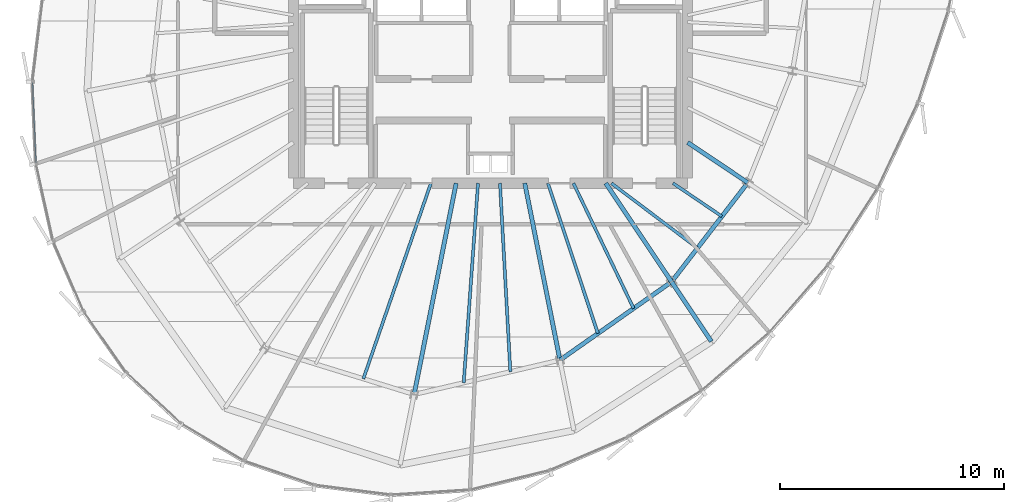
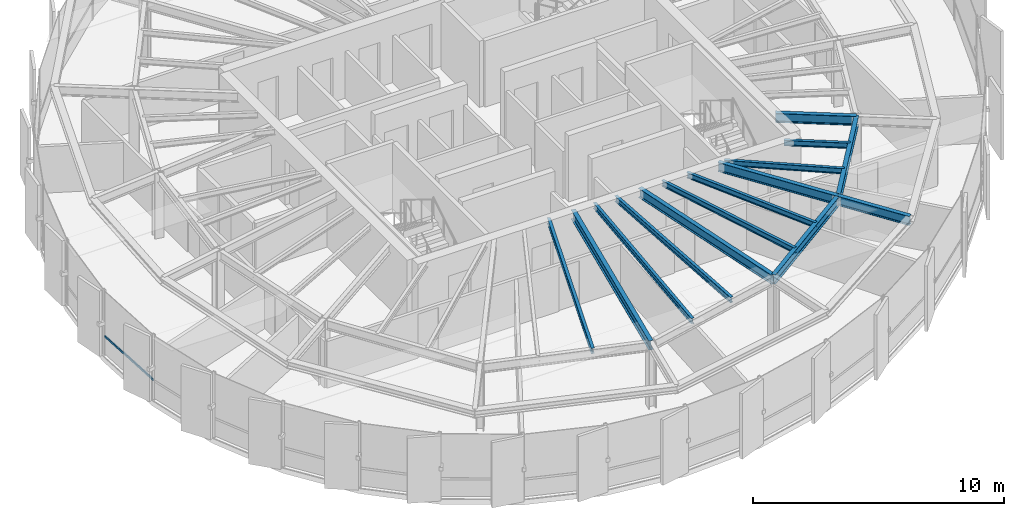
# One storey, part 8 of 35: 14 beams, 1 member, 1 element without a shape of its own.
"""IFC4 building model written with IfcOpenShell, lengths in metres."""

import ifcopenshell
import ifcopenshell.guid

model = None  # the IFC model being written
_history = None  # IfcOwnerHistory: only IFC2X3 demands one
_inside = {}  # id of a spatial element -> (the spatial element, [elements in it])
_under = {}  # id of a project, library or spatial element -> (it, [spatial elements below it])
_declared = {}  # id of a project -> (the project, [libraries it declares])
_typed = {}  # id of a type object -> (the type object, [elements of that type])
_made_of = {}  # id of a material, layer set ... -> (it, [elements and type objects made of it])


def new_model(schema):
    """Start an empty IFC model of exactly this schema.

    Asked for "IFC4X3", IfcOpenShell would pick the latest addendum, in which some entities
    have other attributes; the version numbers below select the first issue.
    IFC2X3 requires an IfcOwnerHistory on every rooted entity: one is made here for all.
    """
    global model, _history
    if schema == "IFC4X3":
        model = ifcopenshell.file(schema_version=(4, 3, 0, 0))
    else:
        model = ifcopenshell.file(schema=schema)
    _inside.clear()
    _under.clear()
    _declared.clear()
    _typed.clear()
    _made_of.clear()
    _history = None
    if model.schema == "IFC2X3":
        org = make("IfcOrganization", Name="unknown")
        user = make(
            "IfcPersonAndOrganization",
            ThePerson=make("IfcPerson", FamilyName="unknown"),
            TheOrganization=org,
        )
        app = make(
            "IfcApplication",
            ApplicationDeveloper=org,
            Version="unknown",
            ApplicationFullName="unknown",
            ApplicationIdentifier="unknown",
        )
        _history = make(
            "IfcOwnerHistory",
            OwningUser=user,
            OwningApplication=app,
            ChangeAction="ADDED",
            CreationDate=0,
        )
    return model


def make(cls, **values):
    """One entity of the class cls with the attributes given. An attribute that is None is left unset."""
    return model.create_entity(
        cls, **{name: value for name, value in values.items() if value is not None}
    )


def rooted(cls, **values):
    """An entity with a GlobalId (a new one), such as an element, a storey or a relation."""
    return make(cls, GlobalId=ifcopenshell.guid.new(), OwnerHistory=_history, **values)


def si_unit(unit_type, name, prefix=None):
    """IfcSIUnit, for example si_unit("LENGTHUNIT", "METRE", prefix="MILLI")."""
    return make("IfcSIUnit", UnitType=unit_type, Prefix=prefix, Name=name)


def assignment(units):
    """IfcUnitAssignment: the units of a project."""
    return None if units is None else make("IfcUnitAssignment", Units=units)


def point(xyz):
    """IfcCartesianPoint."""
    return None if xyz is None else make("IfcCartesianPoint", Coordinates=xyz)


def direction(xyz):
    """IfcDirection."""
    return None if xyz is None else make("IfcDirection", DirectionRatios=xyz)


def frame(location, z_axis=None, x_axis=None):
    """IfcAxis2Placement3D, a coordinate frame: its origin and axes. An axis left out is left unset."""
    return make(
        "IfcAxis2Placement3D",
        Location=point(location),
        Axis=direction(z_axis),
        RefDirection=direction(x_axis),
    )


def frame_2d(location, x_axis=None):
    """IfcAxis2Placement2D, a coordinate frame in the plane: its origin and x axis."""
    return make(
        "IfcAxis2Placement2D", Location=point(location), RefDirection=direction(x_axis)
    )


def origin():
    """The frame at (0, 0, 0) with its axes left unset."""
    return frame((0.0, 0.0, 0.0))


def origin_2d():
    """The frame at (0, 0) in the plane with its x axis left unset."""
    return frame_2d((0.0, 0.0))


def place(relative_to, where):
    """IfcLocalPlacement: puts the frame where relative to a parent placement (None: the world)."""
    return make(
        "IfcLocalPlacement", PlacementRelTo=relative_to, RelativePlacement=where
    )


def context(
    kind, dimensions, precision=None, world=None, true_north=None, identifier=None
):
    """IfcGeometricRepresentationContext, for example the 3D "Model" context."""
    return make(
        "IfcGeometricRepresentationContext",
        ContextIdentifier=identifier,
        ContextType=kind,
        CoordinateSpaceDimension=dimensions,
        Precision=precision,
        WorldCoordinateSystem=world,
        TrueNorth=true_north,
    )


def subcontext(parent, identifier, kind, view, scale=None):
    """IfcGeometricRepresentationSubContext, for example "Body" below "Model"."""
    return make(
        "IfcGeometricRepresentationSubContext",
        ContextIdentifier=identifier,
        ContextType=kind,
        ParentContext=parent,
        TargetScale=scale,
        TargetView=view,
    )


def project(units=None, contexts=None):
    """IfcProject with its units and contexts."""
    return rooted(
        "IfcProject",
        Name="project",
        RepresentationContexts=contexts,
        UnitsInContext=assignment(units),
    )


def spatial(cls, under=None, at=None, **own):
    """A site, building, storey or space (cls), placed at a placement, below another one or the project."""
    s = rooted(cls, ObjectPlacement=at, **own)
    if under is not None:
        _under.setdefault(under.id(), (under, []))[1].append(s)
    return s


def profile(cls, at=None, kind="AREA", **sizes):
    """A parametric profile (cls). Its sizes go by their IFC names, for example OverallWidth=200.0."""
    return make(cls, ProfileType=kind, Position=at, **sizes)


def hollow_rectangle(**sizes):
    """IfcRectangleHollowProfileDef."""
    return profile("IfcRectangleHollowProfileDef", **sizes)


def i_section(**sizes):
    """IfcIShapeProfileDef."""
    return profile("IfcIShapeProfileDef", **sizes)


def extrude(swept, where, along, depth):
    """IfcExtrudedAreaSolid: the profile swept, set in the frame where, extruded along a direction by depth."""
    return make(
        "IfcExtrudedAreaSolid",
        SweptArea=swept,
        Position=where,
        ExtrudedDirection=direction(along),
        Depth=depth,
    )


def shape(context_of_items, identifier, shape_type, items):
    """IfcShapeRepresentation: the items that make up one representation, for example the "Body"."""
    return make(
        "IfcShapeRepresentation",
        ContextOfItems=context_of_items,
        RepresentationIdentifier=identifier,
        RepresentationType=shape_type,
        Items=items,
    )


def source(mapping_origin, context_of_items, identifier, shape_type, items):
    """IfcRepresentationMap: a shape defined once, which mapped items show again and again."""
    return make(
        "IfcRepresentationMap",
        MappingOrigin=mapping_origin,
        MappedRepresentation=shape(context_of_items, identifier, shape_type, items),
    )


def transform(
    local_origin,
    x_axis=None,
    y_axis=None,
    z_axis=None,
    scale=None,
    scale2=None,
    scale3=None,
    uniform=True,
):
    """IfcCartesianTransformationOperator3D, or its non-uniform kind. x_axis, y_axis, z_axis: its Axis1, 2, 3."""
    if uniform:
        return make(
            "IfcCartesianTransformationOperator3D",
            Axis1=direction(x_axis),
            Axis2=direction(y_axis),
            LocalOrigin=point(local_origin),
            Scale=scale,
            Axis3=direction(z_axis),
        )
    return make(
        "IfcCartesianTransformationOperator3DnonUniform",
        Axis1=direction(x_axis),
        Axis2=direction(y_axis),
        LocalOrigin=point(local_origin),
        Scale=scale,
        Axis3=direction(z_axis),
        Scale2=scale2,
        Scale3=scale3,
    )


def mapped(mapping_source, mapping_target):
    """IfcMappedItem: shows the shape of a source again, moved by a transform."""
    return make(
        "IfcMappedItem", MappingSource=mapping_source, MappingTarget=mapping_target
    )


def material(Name=None, Category=None):
    """IfcMaterial."""
    return make("IfcMaterial", Name=Name, Category=Category)


def layer(
    of_material, thickness, ventilated=None, Name=None, Category=None, Priority=None
):
    """IfcMaterialLayer: one layer of a wall or slab, of a material (None: an air gap)."""
    return make(
        "IfcMaterialLayer",
        Material=of_material,
        LayerThickness=thickness,
        IsVentilated=ventilated,
        Name=Name,
        Category=Category,
        Priority=Priority,
    )


def layer_set(layers, Name=None):
    """IfcMaterialLayerSet."""
    return make("IfcMaterialLayerSet", MaterialLayers=layers, LayerSetName=Name)


def material_profile(
    of_material, cross_section, Name=None, Category=None, Priority=None
):
    """IfcMaterialProfile: a cross section and its material."""
    return make(
        "IfcMaterialProfile",
        Name=Name,
        Material=of_material,
        Profile=cross_section,
        Priority=Priority,
        Category=Category,
    )


def profile_set(profiles, Name=None, composite=None):
    """IfcMaterialProfileSet."""
    return make(
        "IfcMaterialProfileSet",
        Name=Name,
        MaterialProfiles=profiles,
        CompositeProfile=composite,
    )


def made_of(thing, what):
    """Note that an element or type object is made of a material, layer set ...; save() writes the relation."""
    if what is not None:
        _made_of.setdefault(what.id(), (what, []))[1].append(thing)
    return thing


def type_object(cls, material=None, **own):
    """A type object (cls), such as IfcWallType, which elements share."""
    return made_of(rooted(cls, **own), material)


def element(
    cls,
    number,
    at=None,
    inside=None,
    cuts=None,
    type_object=None,
    material=None,
    context=None,
    identifier="Body",
    shape_type=None,
    held_by="IfcProductDefinitionShape",
    body=None,
    shapes=None,
    **own,
):
    """One element of the class cls, such as IfcWall. Its Tag is "e" and its number.

    at: its placement. inside: the storey or other place that contains it. cuts: it is an
    opening in that element (IfcRelVoidsElement). A single representation is given by context,
    identifier, shape_type and body (its items); several are given by shapes. held_by: the class
    of the entity that holds the representations. save() writes the other relations.
    """
    e = rooted(cls, Tag="e%d" % number, ObjectPlacement=at, **own)
    if body is not None:
        shapes = [shape(context, identifier, shape_type, body)]
    if shapes is not None:
        e.Representation = make(held_by, Representations=shapes)
    if inside is not None:
        _inside.setdefault(inside.id(), (inside, []))[1].append(e)
    if cuts is not None:
        rooted(
            "IfcRelVoidsElement", RelatingBuildingElement=cuts, RelatedOpeningElement=e
        )
    if type_object is not None:
        _typed.setdefault(type_object.id(), (type_object, []))[1].append(e)
    return made_of(e, material)


def aggregate(whole, parts):
    """IfcRelAggregates: a whole, such as a stair, and the parts it consists of."""
    return rooted("IfcRelAggregates", RelatingObject=whole, RelatedObjects=parts)


def save(model, path):
    """Write the relations noted so far, then the file.

    IfcRelAggregates (storeys below a building ...), IfcRelContainedInSpatialStructure (elements
    in a storey), IfcRelDefinesByType, IfcRelAssociatesMaterial and IfcRelDeclares: one each for
    every whole, place, type object, material and project.
    """
    for whole, parts in _under.values():
        aggregate(whole, parts)
    for where, things in _inside.values():
        rooted(
            "IfcRelContainedInSpatialStructure",
            RelatedElements=things,
            RelatingStructure=where,
        )
    for kind, things in _typed.values():
        rooted("IfcRelDefinesByType", RelatedObjects=things, RelatingType=kind)
    for what, things in _made_of.values():
        rooted("IfcRelAssociatesMaterial", RelatedObjects=things, RelatingMaterial=what)
    for by, libraries in _declared.values():
        rooted("IfcRelDeclares", RelatingContext=by, RelatedDefinitions=libraries)
    model.write(path)


model = new_model("IFC4")

# Units and contexts
model_context = context("Model", 3, precision=1e-05, world=origin(), true_north=direction((0.0, 1.0)))
body_context = subcontext(model_context, "Body", "Model", "MODEL_VIEW")
ifc_project = project(units=[si_unit("LENGTHUNIT", "METRE"), si_unit("AREAUNIT", "SQUARE_METRE"), si_unit("VOLUMEUNIT", "CUBIC_METRE"), si_unit("PLANEANGLEUNIT", "RADIAN"), si_unit("MASSUNIT", "GRAM", prefix="KILO"), si_unit("THERMODYNAMICTEMPERATUREUNIT", "KELVIN")], contexts=[model_context])

# Site, building, storey
site_placement = place(None, origin())
site = spatial("IfcSite", under=ifc_project, at=site_placement, CompositionType="ELEMENT")
building_placement = place(site_placement, origin())
building = spatial("IfcBuilding", under=site, at=building_placement, Name="Kethvar Cultural Tower", CompositionType="ELEMENT")
storey_placement = place(building_placement, frame((0.0, 0.0, 249.10009765625)))
storey = spatial("IfcBuildingStorey", under=building, at=storey_placement, Name="L65", CompositionType="ELEMENT", Elevation=249.10009765625)

# Beams
ifc_material_1 = material(Name="Steel S355J2", Category="steel")
ifc_material_profile_1 = material_profile(ifc_material_1, i_section(OverallWidth=0.18994140625, OverallDepth=0.449951171875, WebThickness=0.009521484375, FlangeThickness=0.0146484375, FilletRadius=0.02099609375, at=origin_2d()), Name="Steel S355J2 — IPE450")
ifc_profile_set_1 = profile_set([ifc_material_profile_1], Name="Steel S355J2 — IPE450")
beam_type_1 = type_object("IfcBeamType", Name="BM-IPE450", PredefinedType="BEAM", material=ifc_profile_set_1)
shared_shape_1 = source(origin(), body_context, "Body", "SweptSolid", [
    extrude(i_section(OverallWidth=0.18994140625, OverallDepth=0.449951171875, WebThickness=0.009521484375, FlangeThickness=0.0146484375, FilletRadius=0.02099609375, at=origin_2d()), origin(), (0.0, 0.0, 1.0), 3.199951171875),
])
beam_1_placement = place(storey_placement, frame((54.885009765625, 15.7001953125, 2.98291015625), z_axis=(0.555492222339, -0.83152173208, 0.0), x_axis=(0.83152173208, 0.555492222339, 0.0)))
element("IfcBeam", 1, at=beam_1_placement, inside=storey, type_object=beam_type_1, Name="L65 Perimeter Cantilever Beam RC-14", PredefinedType="BEAM", context=body_context, shape_type="MappedRepresentation", body=[
    mapped(shared_shape_1, transform((0.0, 0.0, 0.0), scale=1.0)),
])
shared_shape_2 = source(origin(), body_context, "Body", "SweptSolid", [
    extrude(i_section(OverallWidth=0.18994140625, OverallDepth=0.449951171875, WebThickness=0.009521484375, FlangeThickness=0.0146484375, FilletRadius=0.02099609375, at=origin_2d()), origin(), (0.0, 0.0, 1.0), 9.613525390625),
])
beam_2_placement = place(storey_placement, frame((45.268310546875, 20.10009765625, 2.98291015625), z_axis=(-0.195090428816, -0.980785259159, 0.0), x_axis=(0.980785259159, -0.195090428816, 0.0)))
element("IfcBeam", 2, at=beam_2_placement, inside=storey, type_object=beam_type_1, Name="L65 Primary Radial Beam RB-12", PredefinedType="BEAM", context=body_context, shape_type="MappedRepresentation", body=[
    mapped(shared_shape_2, transform((0.0, 0.0, 0.0), scale=1.0)),
])
shared_shape_3 = source(origin(), body_context, "Body", "SweptSolid", [
    extrude(i_section(OverallWidth=0.18994140625, OverallDepth=0.449951171875, WebThickness=0.009521484375, FlangeThickness=0.0146484375, FilletRadius=0.02099609375, at=origin_2d()), origin(), (0.0, 0.0, 1.0), 8.0478515625),
])
beam_3_placement = place(storey_placement, frame((48.33154296875, 20.10009765625, 2.98291015625), z_axis=(0.195089278796, -0.980785487912, 0.0), x_axis=(0.980785487912, 0.195089278796, 0.0)))
element("IfcBeam", 3, at=beam_3_placement, inside=storey, type_object=beam_type_1, Name="L65 Primary Radial Beam RB-13", PredefinedType="BEAM", context=body_context, shape_type="MappedRepresentation", body=[
    mapped(shared_shape_3, transform((0.0, 0.0, 0.0), scale=1.0)),
])
shared_shape_4 = source(origin(), body_context, "Body", "SweptSolid", [
    extrude(i_section(OverallWidth=0.18994140625, OverallDepth=0.449951171875, WebThickness=0.009521484375, FlangeThickness=0.0146484375, FilletRadius=0.02099609375, at=origin_2d()), origin(), (0.0, 0.0, 1.0), 5.291748046875),
])
beam_4_placement = place(storey_placement, frame((51.945068359375, 20.10009765625, 2.98291015625), z_axis=(0.555572931011, -0.831467809556, 0.0), x_axis=(0.831467809556, 0.555572931011, 0.0)))
element("IfcBeam", 4, at=beam_4_placement, inside=storey, type_object=beam_type_1, Name="L65 Primary Radial Beam RB-14", PredefinedType="BEAM", context=body_context, shape_type="MappedRepresentation", body=[
    mapped(shared_shape_4, transform((0.0, 0.0, 0.0), scale=1.0)),
])
shared_shape_5 = source(origin(), body_context, "Body", "SweptSolid", [
    extrude(i_section(OverallWidth=0.18994140625, OverallDepth=0.449951171875, WebThickness=0.009521484375, FlangeThickness=0.0146484375, FilletRadius=0.02099609375, at=origin_2d()), origin(), (0.0, 0.0, 1.0), 3.231689453125),
])
beam_5_placement = place(storey_placement, frame((55.60009765625, 21.919921875, 2.98291015625), z_axis=(0.831468708055, -0.55557158632, 0.0), x_axis=(0.55557158632, 0.831468708055, 0.0)))
element("IfcBeam", 5, at=beam_5_placement, inside=storey, type_object=beam_type_1, Name="L65 Primary Radial Beam RB-15", PredefinedType="BEAM", context=body_context, shape_type="MappedRepresentation", body=[
    mapped(shared_shape_5, transform((0.0, 0.0, 0.0), scale=1.0)),
])
ifc_material_profile_2 = material_profile(ifc_material_1, i_section(OverallWidth=0.135009765625, OverallDepth=0.27001953125, WebThickness=0.006591796875, FlangeThickness=0.01025390625, FilletRadius=0.014892578125, at=origin_2d()), Name="Steel S355J2 — IPE270")
ifc_profile_set_2 = profile_set([ifc_material_profile_2], Name="Steel S355J2 — IPE270")
beam_type_2 = type_object("IfcBeamType", Name="BM-J270", PredefinedType="JOIST", material=ifc_profile_set_2)
shared_shape_6 = source(origin(), body_context, "Body", "SweptSolid", [
    extrude(i_section(OverallWidth=0.135009765625, OverallDepth=0.27001953125, WebThickness=0.006591796875, FlangeThickness=0.01025390625, FilletRadius=0.014892578125, at=origin_2d()), origin(), (0.0, 0.0, 1.0), 9.234130859375),
])
beam_6_placement = place(storey_placement, frame((44.1416015625, 20.10009765625, 3.072998046875), z_axis=(-0.326362208058, -0.945244787953, 0.0), x_axis=(0.945244787953, -0.326362208058, 0.0)))
element("IfcBeam", 6, at=beam_6_placement, inside=storey, type_object=beam_type_2, Name="L65 Composite Floor Joist J-11B", PredefinedType="JOIST", context=body_context, shape_type="MappedRepresentation", body=[
    mapped(shared_shape_6, transform((0.0, 0.0, 0.0), scale=1.0)),
])
shared_shape_7 = source(origin(), body_context, "Body", "SweptSolid", [
    extrude(i_section(OverallWidth=0.135009765625, OverallDepth=0.27001953125, WebThickness=0.006591796875, FlangeThickness=0.01025390625, FilletRadius=0.014892578125, at=origin_2d()), origin(), (0.0, 0.0, 1.0), 8.9296875),
])
beam_7_placement = place(storey_placement, frame((46.246337890625, 20.10009765625, 3.072998046875), z_axis=(-0.071713352262, -0.99742528297, 0.0), x_axis=(0.99742528297, -0.071713352262, 0.0)))
element("IfcBeam", 7, at=beam_7_placement, inside=storey, type_object=beam_type_2, Name="L65 Composite Floor Joist J-12A", PredefinedType="JOIST", context=body_context, shape_type="MappedRepresentation", body=[
    mapped(shared_shape_7, transform((0.0, 0.0, 0.0), scale=1.0)),
])
shared_shape_8 = source(origin(), body_context, "Body", "SweptSolid", [
    extrude(i_section(OverallWidth=0.135009765625, OverallDepth=0.27001953125, WebThickness=0.006591796875, FlangeThickness=0.01025390625, FilletRadius=0.014892578125, at=origin_2d()), origin(), (0.0, 0.0, 1.0), 8.427978515625),
])
beam_8_placement = place(storey_placement, frame((47.224609375, 20.10009765625, 3.072998046875), z_axis=(0.055067321535, -0.998482643865, 0.0), x_axis=(0.998482643865, 0.055067321535, 0.0)))
element("IfcBeam", 8, at=beam_8_placement, inside=storey, type_object=beam_type_2, Name="L65 Composite Floor Joist J-12B", PredefinedType="JOIST", context=body_context, shape_type="MappedRepresentation", body=[
    mapped(shared_shape_8, transform((0.0, 0.0, 0.0), scale=1.0)),
])
shared_shape_9 = source(origin(), body_context, "Body", "SweptSolid", [
    extrude(i_section(OverallWidth=0.18994140625, OverallDepth=0.449951171875, WebThickness=0.009521484375, FlangeThickness=0.0146484375, FilletRadius=0.02099609375, at=origin_2d()), origin(), (0.0, 0.0, 1.0), 6.0859375),
])
beam_9_placement = place(storey_placement, frame((49.901611328125, 12.206787109375, 2.98291015625), z_axis=(0.818843498091, 0.57401683393, 0.0), x_axis=(-0.57401683393, 0.818843498091, 0.0)))
element("IfcBeam", 9, at=beam_9_placement, inside=storey, type_object=beam_type_1, Name="L65 Column Ring Tie Beam CR-13", PredefinedType="BEAM", context=body_context, shape_type="MappedRepresentation", body=[
    mapped(shared_shape_9, transform((0.0, 0.0, 0.0), scale=1.0)),
])
shared_shape_10 = source(origin(), body_context, "Body", "SweptSolid", [
    extrude(i_section(OverallWidth=0.135009765625, OverallDepth=0.27001953125, WebThickness=0.006591796875, FlangeThickness=0.01025390625, FilletRadius=0.014892578125, at=origin_2d()), origin(), (0.0, 0.0, 1.0), 7.0673828125),
])
beam_10_placement = place(storey_placement, frame((49.363525390625, 20.10009765625, 3.072998046875), z_axis=(0.315875389768, -0.948800684095, 0.0), x_axis=(0.948800684095, 0.315875389768, 0.0)))
element("IfcBeam", 10, at=beam_10_placement, inside=storey, type_object=beam_type_2, Name="L65 Composite Floor Joist J-13A", PredefinedType="JOIST", context=body_context, shape_type="MappedRepresentation", body=[
    mapped(shared_shape_10, transform((0.0, 0.0, 0.0), scale=1.0)),
])
shared_shape_11 = source(origin(), body_context, "Body", "SweptSolid", [
    extrude(i_section(OverallWidth=0.135009765625, OverallDepth=0.27001953125, WebThickness=0.006591796875, FlangeThickness=0.01025390625, FilletRadius=0.014892578125, at=origin_2d()), origin(), (0.0, 0.0, 1.0), 6.2001953125),
])
beam_11_placement = place(storey_placement, frame((50.50341796875, 20.10009765625, 3.072998046875), z_axis=(0.433410678328, -0.901196529017, 0.0), x_axis=(0.901196529017, 0.433410678328, 0.0)))
element("IfcBeam", 11, at=beam_11_placement, inside=storey, type_object=beam_type_2, Name="L65 Composite Floor Joist J-13B", PredefinedType="JOIST", context=body_context, shape_type="MappedRepresentation", body=[
    mapped(shared_shape_11, transform((0.0, 0.0, 0.0), scale=1.0)),
])
shared_shape_12 = source(origin(), body_context, "Body", "SweptSolid", [
    extrude(i_section(OverallWidth=0.18994140625, OverallDepth=0.449951171875, WebThickness=0.009521484375, FlangeThickness=0.0146484375, FilletRadius=0.02099609375, at=origin_2d()), origin(), (0.0, 0.0, 1.0), 5.5810546875),
])
beam_12_placement = place(storey_placement, frame((54.885009765625, 15.7001953125, 2.98291015625), z_axis=(0.60957334008, 0.79272967843, 0.0), x_axis=(-0.79272967843, 0.60957334008, 0.0)))
element("IfcBeam", 12, at=beam_12_placement, inside=storey, type_object=beam_type_1, Name="L65 Column Ring Tie Beam CR-14", PredefinedType="BEAM", context=body_context, shape_type="MappedRepresentation", body=[
    mapped(shared_shape_12, transform((0.0, 0.0, 0.0), scale=1.0)),
])
shared_shape_13 = source(origin(), body_context, "Body", "SweptSolid", [
    extrude(i_section(OverallWidth=0.135009765625, OverallDepth=0.27001953125, WebThickness=0.006591796875, FlangeThickness=0.01025390625, FilletRadius=0.014892578125, at=origin_2d()), origin(), (0.0, 0.0, 1.0), 4.810791015625),
])
beam_13_placement = place(storey_placement, frame((52.199951171875, 20.10009765625, 3.072998046875), z_axis=(0.798542152732, -0.601938892505, 0.0), x_axis=(0.601938892505, 0.798542152732, 0.0)))
element("IfcBeam", 13, at=beam_13_placement, inside=storey, type_object=beam_type_2, Name="L65 Composite Floor Joist J-14A", PredefinedType="JOIST", context=body_context, shape_type="MappedRepresentation", body=[
    mapped(shared_shape_13, transform((0.0, 0.0, 0.0), scale=1.0)),
])
shared_shape_14 = source(origin(), body_context, "Body", "SweptSolid", [
    extrude(i_section(OverallWidth=0.135009765625, OverallDepth=0.27001953125, WebThickness=0.006591796875, FlangeThickness=0.01025390625, FilletRadius=0.014892578125, at=origin_2d()), origin(), (0.0, 0.0, 1.0), 2.635009765625),
])
beam_14_placement = place(storey_placement, frame((54.949951171875, 20.10009765625, 3.072998046875), z_axis=(0.827446562598, -0.561544464887, 0.0), x_axis=(0.561544464887, 0.827446562598, 0.0)))
element("IfcBeam", 14, at=beam_14_placement, inside=storey, type_object=beam_type_2, Name="L65 Composite Floor Joist J-14B", PredefinedType="JOIST", context=body_context, shape_type="MappedRepresentation", body=[
    mapped(shared_shape_14, transform((0.0, 0.0, 0.0), scale=1.0)),
])

# Curtain wall, member
ifc_material_2 = material(Name="Aluminium 6063-T6", Category="aluminium")
ifc_layer = layer(ifc_material_2, 0.179931640625, Name="Aluminium 6063-T6", Category="aluminium")
ifc_layer_set = layer_set([ifc_layer], Name="Aluminium 6063-T6 (180 mm)")
curtain_wall_type = type_object("IfcCurtainWallType", Name="CW-SYS-05-Z56", PredefinedType="NOTDEFINED", material=ifc_layer_set)
curtain_wall_placement = place(storey_placement, origin())
curtain_wall = element("IfcCurtainWall", 15, at=curtain_wall_placement, inside=storey, type_object=curtain_wall_type, Name="L65 Curtain Wall Run 03", PredefinedType="NOTDEFINED")
ifc_material_profile_3 = material_profile(ifc_material_2, hollow_rectangle(XDim=0.050048828125, YDim=0.10009765625, WallThickness=0.00390625, at=origin_2d()), Name="Aluminium 6063-T6 — RHS100x50x4")
ifc_profile_set_3 = profile_set([ifc_material_profile_3], Name="Aluminium 6063-T6 — RHS100x50x4")
member_type = type_object("IfcMemberType", Name="CW-SYS-05-Z56-TRN", PredefinedType="USERDEFINED", material=ifc_profile_set_3)
shared_shape_15 = source(origin(), body_context, "Body", "SweptSolid", [
    extrude(hollow_rectangle(XDim=0.050048828125, YDim=0.10009765625, WallThickness=0.00390625, at=origin_2d()), origin(), (0.0, 0.0, 1.0), 3.606689453125),
])
member_placement = place(storey_placement, frame((26.361083984375, 24.5966796875, 0.949951171875), z_axis=(0.042644099308, -0.999090326644, 0.0), x_axis=(0.999090326644, 0.042644099308, 0.0)))
member = element("IfcMember", 16, at=member_placement, type_object=member_type, Name="CW-L65-R03 Transom 2", ObjectType="TRANSOM", PredefinedType="USERDEFINED", context=body_context, shape_type="MappedRepresentation", body=[
    mapped(shared_shape_15, transform((0.0, 0.0, 0.0), scale=1.0)),
])
aggregate(curtain_wall, [member])

save(model, "model.ifc")
